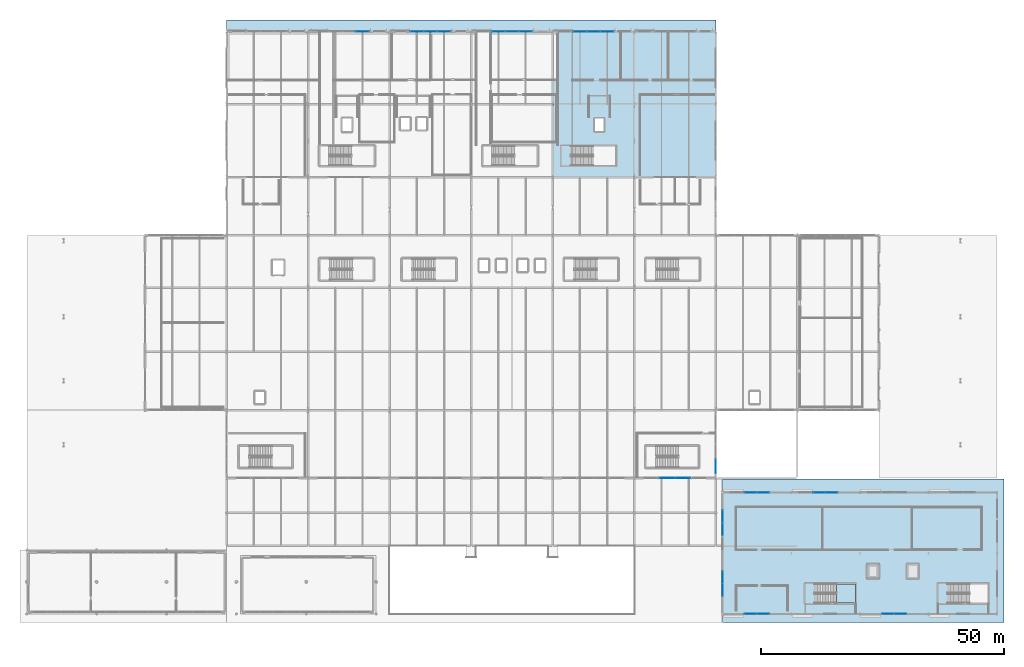
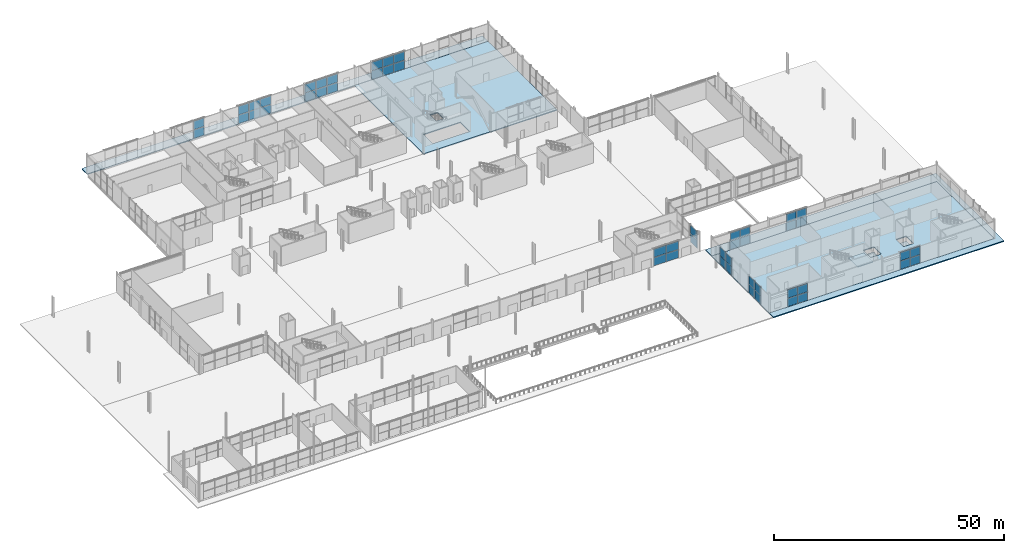
# One storey, part 55 of 87: 50 plates, 7 slabs, 13 elements without a shape of their own.
"""IFC4 building model written with IfcOpenShell, lengths in metres."""

from ifc_helpers import new_model, si_unit, direction, frame, origin, origin_2d, place, context, subcontext, project, spatial, polyline, rectangle, outline, extrude, material, layer, layer_set, type_object, element, aggregate, save


model = new_model("IFC4")

# Units and contexts
model_context = context("Model", 3, precision=1e-05, world=origin(), true_north=direction((0.0, 1.0)))
body_context = subcontext(model_context, "Body", "Model", "MODEL_VIEW")
ifc_project = project(units=[si_unit("LENGTHUNIT", "METRE"), si_unit("AREAUNIT", "SQUARE_METRE"), si_unit("VOLUMEUNIT", "CUBIC_METRE"), si_unit("PLANEANGLEUNIT", "RADIAN"), si_unit("MASSUNIT", "GRAM", prefix="KILO")], contexts=[model_context])

# Site, building, storey
site_placement = place(None, origin())
site = spatial("IfcSite", under=ifc_project, at=site_placement, CompositionType="ELEMENT")
building_placement = place(site_placement, origin())
building = spatial("IfcBuilding", under=site, at=building_placement, Name="Kimbaza Rail Terminus", CompositionType="ELEMENT")
storey_placement = place(building_placement, origin())
storey = spatial("IfcBuildingStorey", under=building, at=storey_placement, Name="L00", CompositionType="ELEMENT", Elevation=0.0)

# Curtain wall, plates
ifc_material_1 = material(Name="Anodised aluminium framing and solar low-E glazing", Category="aluminium")
curtain_wall_type_1 = type_object("IfcCurtainWallType", Name="ARC-CW-TH1", PredefinedType="USERDEFINED", material=ifc_material_1)
curtain_wall_1_placement = place(storey_placement, origin())
curtain_wall_1 = element("IfcCurtainWall", 1, at=curtain_wall_1_placement, inside=storey, type_object=curtain_wall_type_1, Name="Concourse E Return Curtain Wall L00", ObjectType="UNITISED CURTAIN WALL", PredefinedType="USERDEFINED")
ifc_material_2 = material(Name="Solar-control double low-E glazing", Category="glass")
ifc_layer_1 = layer(ifc_material_2, 0.035888671875)
ifc_layer_set_1 = layer_set([ifc_layer_1], Name="Solar-control double low-E glazing")
plate_type_1 = type_object("IfcPlateType", Name="ARC-CWP-01", PredefinedType="CURTAIN_PANEL", material=ifc_layer_set_1)
plate_1_placement = place(storey_placement, frame((156.0, 43.43115234375, 0.0751953125), z_axis=(0.0, 0.0, 1.0), x_axis=(0.0, 1.0, 0.0)))
plate_1 = element("IfcPlate", 2, at=plate_1_placement, type_object=plate_type_1, Name="CW-01 panel 1.1", PredefinedType="CURTAIN_PANEL", context=body_context, shape_type="SweptSolid", body=[
    extrude(rectangle(XDim=2.952392578125, YDim=0.035888671875, at=origin_2d()), origin(), (0.0, 0.0, 1.0), 2.199951171875),
])
plate_2_placement = place(storey_placement, frame((156.0, 43.43115234375, 2.35009765625), z_axis=(0.0, 0.0, 1.0), x_axis=(0.0, 1.0, 0.0)))
plate_2 = element("IfcPlate", 3, at=plate_2_placement, type_object=plate_type_1, Name="CW-01 panel 1.2", PredefinedType="CURTAIN_PANEL", context=body_context, shape_type="SweptSolid", body=[
    extrude(rectangle(XDim=2.952392578125, YDim=0.035888671875, at=origin_2d()), origin(), (0.0, 0.0, 1.0), 2.199951171875),
])
aggregate(curtain_wall_1, [plate_1, plate_2])

ifc_material_3 = material(Name="Anodised aluminium framing and solar low-E glazing", Category="aluminium")
curtain_wall_type_2 = type_object("IfcCurtainWallType", Name="ARC-CW-CN1", PredefinedType="USERDEFINED", material=ifc_material_3)
curtain_wall_2_placement = place(storey_placement, origin())
curtain_wall_2 = element("IfcCurtainWall", 4, at=curtain_wall_2_placement, inside=storey, type_object=curtain_wall_type_2, Name="South Concourse Glazing L00 Bay 6", ObjectType="UNITISED CURTAIN WALL", PredefinedType="USERDEFINED")
ifc_material_4 = material(Name="Solar-control double low-E glazing", Category="glass")
ifc_layer_2 = layer(ifc_material_4, 0.032958984375)
ifc_layer_set_2 = layer_set([ifc_layer_2], Name="Solar-control double low-E glazing")
plate_type_2 = type_object("IfcPlateType", Name="ARC-CWP-02", PredefinedType="CURTAIN_PANEL", material=ifc_layer_set_2)
plate_3_placement = place(storey_placement, frame((146.017578125, 41.0, 0.070068359375), z_axis=(0.0, 0.0, 1.0), x_axis=(1.0, 0.0, 0.0)))
plate_3 = element("IfcPlate", 5, at=plate_3_placement, type_object=plate_type_2, Name="CW-02 panel 1.1", PredefinedType="CURTAIN_PANEL", context=body_context, shape_type="SweptSolid", body=[
    extrude(rectangle(XDim=3.094970703125, YDim=0.032958984375, at=origin_2d()), origin(), (0.0, 0.0, 1.0), 2.20751953125),
])
plate_4_placement = place(storey_placement, frame((146.017578125, 41.0, 2.347412109375), z_axis=(0.0, 0.0, 1.0), x_axis=(1.0, 0.0, 0.0)))
plate_4 = element("IfcPlate", 6, at=plate_4_placement, type_object=plate_type_2, Name="CW-02 panel 1.2", PredefinedType="CURTAIN_PANEL", context=body_context, shape_type="SweptSolid", body=[
    extrude(rectangle(XDim=3.094970703125, YDim=0.032958984375, at=origin_2d()), origin(), (0.0, 0.0, 1.0), 2.20751953125),
])
plate_5_placement = place(storey_placement, frame((149.1826171875, 41.0, 0.070068359375), z_axis=(0.0, 0.0, 1.0), x_axis=(1.0, 0.0, 0.0)))
plate_5 = element("IfcPlate", 7, at=plate_5_placement, type_object=plate_type_2, Name="CW-02 panel 2.1", PredefinedType="CURTAIN_PANEL", context=body_context, shape_type="SweptSolid", body=[
    extrude(rectangle(XDim=3.094970703125, YDim=0.032958984375, at=origin_2d()), origin(), (0.0, 0.0, 1.0), 2.20751953125),
])
plate_6_placement = place(storey_placement, frame((149.1826171875, 41.0, 2.347412109375), z_axis=(0.0, 0.0, 1.0), x_axis=(1.0, 0.0, 0.0)))
plate_6 = element("IfcPlate", 8, at=plate_6_placement, type_object=plate_type_2, Name="CW-02 panel 2.2", PredefinedType="CURTAIN_PANEL", context=body_context, shape_type="SweptSolid", body=[
    extrude(rectangle(XDim=3.094970703125, YDim=0.032958984375, at=origin_2d()), origin(), (0.0, 0.0, 1.0), 2.20751953125),
])
aggregate(curtain_wall_2, [plate_3, plate_4, plate_5, plate_6])

ifc_material_5 = material(Name="Anodised aluminium framing and solar low-E glazing", Category="aluminium")
curtain_wall_type_3 = type_object("IfcCurtainWallType", Name="ARC-CW-PV1", PredefinedType="USERDEFINED", material=ifc_material_5)
curtain_wall_3_placement = place(storey_placement, origin())
curtain_wall_3 = element("IfcCurtainWall", 9, at=curtain_wall_3_placement, inside=storey, type_object=curtain_wall_type_3, Name="Pavilion N Curtain Wall L00.1", ObjectType="STICK CURTAIN WALL", PredefinedType="USERDEFINED")
ifc_material_6 = material(Name="Solar-control double low-E glazing", Category="glass")
ifc_layer_3 = layer(ifc_material_6, 0.027099609375)
ifc_layer_set_3 = layer_set([ifc_layer_3], Name="Solar-control double low-E glazing")
plate_type_3 = type_object("IfcPlateType", Name="ARC-CWP-04", PredefinedType="CURTAIN_PANEL", material=ifc_layer_set_3)
plate_7_placement = place(storey_placement, frame((163.203857421875, 38.0, 0.06494140625), z_axis=(0.0, 0.0, 1.0), x_axis=(1.0, 0.0, 0.0)))
plate_7 = element("IfcPlate", 10, at=plate_7_placement, type_object=plate_type_3, Name="CW-04 panel 1.1", PredefinedType="CURTAIN_PANEL", context=body_context, shape_type="SweptSolid", body=[
    extrude(rectangle(XDim=2.4775390625, YDim=0.027099609375, at=origin_2d()), origin(), (0.0, 0.0, 1.0), 2.215087890625),
])
plate_8_placement = place(storey_placement, frame((163.203857421875, 38.0, 2.3447265625), z_axis=(0.0, 0.0, 1.0), x_axis=(1.0, 0.0, 0.0)))
plate_8 = element("IfcPlate", 11, at=plate_8_placement, type_object=plate_type_3, Name="CW-04 panel 1.2", PredefinedType="CURTAIN_PANEL", context=body_context, shape_type="SweptSolid", body=[
    extrude(rectangle(XDim=2.4775390625, YDim=0.027099609375, at=origin_2d()), origin(), (0.0, 0.0, 1.0), 2.215087890625),
])
plate_9_placement = place(storey_placement, frame((165.746337890625, 38.0, 0.06494140625), z_axis=(0.0, 0.0, 1.0), x_axis=(1.0, 0.0, 0.0)))
plate_9 = element("IfcPlate", 12, at=plate_9_placement, type_object=plate_type_3, Name="CW-04 panel 2.1", PredefinedType="CURTAIN_PANEL", context=body_context, shape_type="SweptSolid", body=[
    extrude(rectangle(XDim=2.4775390625, YDim=0.027099609375, at=origin_2d()), origin(), (0.0, 0.0, 1.0), 2.215087890625),
])
plate_10_placement = place(storey_placement, frame((165.746337890625, 38.0, 2.3447265625), z_axis=(0.0, 0.0, 1.0), x_axis=(1.0, 0.0, 0.0)))
plate_10 = element("IfcPlate", 13, at=plate_10_placement, type_object=plate_type_3, Name="CW-04 panel 2.2", PredefinedType="CURTAIN_PANEL", context=body_context, shape_type="SweptSolid", body=[
    extrude(rectangle(XDim=2.4775390625, YDim=0.027099609375, at=origin_2d()), origin(), (0.0, 0.0, 1.0), 2.215087890625),
])
aggregate(curtain_wall_3, [plate_7, plate_8, plate_9, plate_10])

curtain_wall_4_placement = place(storey_placement, origin())
curtain_wall_4 = element("IfcCurtainWall", 14, at=curtain_wall_4_placement, inside=storey, type_object=curtain_wall_type_3, Name="Pavilion N Curtain Wall L00.2", ObjectType="STICK CURTAIN WALL", PredefinedType="USERDEFINED")
plate_11_placement = place(storey_placement, frame((177.353759765625, 38.0, 0.06494140625), z_axis=(0.0, 0.0, 1.0), x_axis=(1.0, 0.0, 0.0)))
plate_11 = element("IfcPlate", 15, at=plate_11_placement, type_object=plate_type_3, Name="CW-04 panel 1.1", PredefinedType="CURTAIN_PANEL", context=body_context, shape_type="SweptSolid", body=[
    extrude(rectangle(XDim=2.4775390625, YDim=0.027099609375, at=origin_2d()), origin(), (0.0, 0.0, 1.0), 2.215087890625),
])
plate_12_placement = place(storey_placement, frame((177.353759765625, 38.0, 2.3447265625), z_axis=(0.0, 0.0, 1.0), x_axis=(1.0, 0.0, 0.0)))
plate_12 = element("IfcPlate", 16, at=plate_12_placement, type_object=plate_type_3, Name="CW-04 panel 1.2", PredefinedType="CURTAIN_PANEL", context=body_context, shape_type="SweptSolid", body=[
    extrude(rectangle(XDim=2.4775390625, YDim=0.027099609375, at=origin_2d()), origin(), (0.0, 0.0, 1.0), 2.215087890625),
])
plate_13_placement = place(storey_placement, frame((179.896240234375, 38.0, 0.06494140625), z_axis=(0.0, 0.0, 1.0), x_axis=(1.0, 0.0, 0.0)))
plate_13 = element("IfcPlate", 17, at=plate_13_placement, type_object=plate_type_3, Name="CW-04 panel 2.1", PredefinedType="CURTAIN_PANEL", context=body_context, shape_type="SweptSolid", body=[
    extrude(rectangle(XDim=2.4775390625, YDim=0.027099609375, at=origin_2d()), origin(), (0.0, 0.0, 1.0), 2.215087890625),
])
plate_14_placement = place(storey_placement, frame((179.896240234375, 38.0, 2.3447265625), z_axis=(0.0, 0.0, 1.0), x_axis=(1.0, 0.0, 0.0)))
plate_14 = element("IfcPlate", 18, at=plate_14_placement, type_object=plate_type_3, Name="CW-04 panel 2.2", PredefinedType="CURTAIN_PANEL", context=body_context, shape_type="SweptSolid", body=[
    extrude(rectangle(XDim=2.4775390625, YDim=0.027099609375, at=origin_2d()), origin(), (0.0, 0.0, 1.0), 2.215087890625),
])
aggregate(curtain_wall_4, [plate_11, plate_12, plate_13, plate_14])

curtain_wall_5_placement = place(storey_placement, origin())
curtain_wall_5 = element("IfcCurtainWall", 19, at=curtain_wall_5_placement, inside=storey, type_object=curtain_wall_type_3, Name="Pavilion S Curtain Wall L00.1", ObjectType="STICK CURTAIN WALL", PredefinedType="USERDEFINED")
plate_15_placement = place(storey_placement, frame((163.203857421875, 13.0, 0.06494140625), z_axis=(0.0, 0.0, 1.0), x_axis=(1.0, 0.0, 0.0)))
plate_15 = element("IfcPlate", 20, at=plate_15_placement, type_object=plate_type_3, Name="CW-04 panel 1.1", PredefinedType="CURTAIN_PANEL", context=body_context, shape_type="SweptSolid", body=[
    extrude(rectangle(XDim=2.4775390625, YDim=0.027099609375, at=origin_2d()), origin(), (0.0, 0.0, 1.0), 2.215087890625),
])
plate_16_placement = place(storey_placement, frame((163.203857421875, 13.0, 2.3447265625), z_axis=(0.0, 0.0, 1.0), x_axis=(1.0, 0.0, 0.0)))
plate_16 = element("IfcPlate", 21, at=plate_16_placement, type_object=plate_type_3, Name="CW-04 panel 1.2", PredefinedType="CURTAIN_PANEL", context=body_context, shape_type="SweptSolid", body=[
    extrude(rectangle(XDim=2.4775390625, YDim=0.027099609375, at=origin_2d()), origin(), (0.0, 0.0, 1.0), 2.215087890625),
])
plate_17_placement = place(storey_placement, frame((165.746337890625, 13.0, 0.06494140625), z_axis=(0.0, 0.0, 1.0), x_axis=(1.0, 0.0, 0.0)))
plate_17 = element("IfcPlate", 22, at=plate_17_placement, type_object=plate_type_3, Name="CW-04 panel 2.1", PredefinedType="CURTAIN_PANEL", context=body_context, shape_type="SweptSolid", body=[
    extrude(rectangle(XDim=2.4775390625, YDim=0.027099609375, at=origin_2d()), origin(), (0.0, 0.0, 1.0), 2.215087890625),
])
plate_18_placement = place(storey_placement, frame((165.746337890625, 13.0, 2.3447265625), z_axis=(0.0, 0.0, 1.0), x_axis=(1.0, 0.0, 0.0)))
plate_18 = element("IfcPlate", 23, at=plate_18_placement, type_object=plate_type_3, Name="CW-04 panel 2.2", PredefinedType="CURTAIN_PANEL", context=body_context, shape_type="SweptSolid", body=[
    extrude(rectangle(XDim=2.4775390625, YDim=0.027099609375, at=origin_2d()), origin(), (0.0, 0.0, 1.0), 2.215087890625),
])
aggregate(curtain_wall_5, [plate_15, plate_16, plate_17, plate_18])

curtain_wall_6_placement = place(storey_placement, origin())
curtain_wall_6 = element("IfcCurtainWall", 24, at=curtain_wall_6_placement, inside=storey, type_object=curtain_wall_type_3, Name="Pavilion S Curtain Wall L00.3", ObjectType="STICK CURTAIN WALL", PredefinedType="USERDEFINED")
plate_19_placement = place(storey_placement, frame((191.503662109375, 13.0, 0.06494140625), z_axis=(0.0, 0.0, 1.0), x_axis=(1.0, 0.0, 0.0)))
plate_19 = element("IfcPlate", 25, at=plate_19_placement, type_object=plate_type_3, Name="CW-04 panel 1.1", PredefinedType="CURTAIN_PANEL", context=body_context, shape_type="SweptSolid", body=[
    extrude(rectangle(XDim=2.4775390625, YDim=0.027099609375, at=origin_2d()), origin(), (0.0, 0.0, 1.0), 2.215087890625),
])
plate_20_placement = place(storey_placement, frame((191.503662109375, 13.0, 2.3447265625), z_axis=(0.0, 0.0, 1.0), x_axis=(1.0, 0.0, 0.0)))
plate_20 = element("IfcPlate", 26, at=plate_20_placement, type_object=plate_type_3, Name="CW-04 panel 1.2", PredefinedType="CURTAIN_PANEL", context=body_context, shape_type="SweptSolid", body=[
    extrude(rectangle(XDim=2.4775390625, YDim=0.027099609375, at=origin_2d()), origin(), (0.0, 0.0, 1.0), 2.215087890625),
])
plate_21_placement = place(storey_placement, frame((194.046142578125, 13.0, 0.06494140625), z_axis=(0.0, 0.0, 1.0), x_axis=(1.0, 0.0, 0.0)))
plate_21 = element("IfcPlate", 27, at=plate_21_placement, type_object=plate_type_3, Name="CW-04 panel 2.1", PredefinedType="CURTAIN_PANEL", context=body_context, shape_type="SweptSolid", body=[
    extrude(rectangle(XDim=2.4775390625, YDim=0.027099609375, at=origin_2d()), origin(), (0.0, 0.0, 1.0), 2.215087890625),
])
plate_22_placement = place(storey_placement, frame((194.046142578125, 13.0, 2.3447265625), z_axis=(0.0, 0.0, 1.0), x_axis=(1.0, 0.0, 0.0)))
plate_22 = element("IfcPlate", 28, at=plate_22_placement, type_object=plate_type_3, Name="CW-04 panel 2.2", PredefinedType="CURTAIN_PANEL", context=body_context, shape_type="SweptSolid", body=[
    extrude(rectangle(XDim=2.4775390625, YDim=0.027099609375, at=origin_2d()), origin(), (0.0, 0.0, 1.0), 2.215087890625),
])
aggregate(curtain_wall_6, [plate_19, plate_20, plate_21, plate_22])

curtain_wall_7_placement = place(storey_placement, origin())
curtain_wall_7 = element("IfcCurtainWall", 29, at=curtain_wall_7_placement, inside=storey, type_object=curtain_wall_type_3, Name="Pavilion W Curtain Wall L00.1", ObjectType="STICK CURTAIN WALL", PredefinedType="USERDEFINED")
plate_23_placement = place(storey_placement, frame((157.39990234375, 17.941162109375, 0.06494140625), z_axis=(0.0, 0.0, 1.0), x_axis=(0.0, 1.0, 0.0)))
plate_23 = element("IfcPlate", 30, at=plate_23_placement, type_object=plate_type_3, Name="CW-04 panel 1.1", PredefinedType="CURTAIN_PANEL", context=body_context, shape_type="SweptSolid", body=[
    extrude(rectangle(XDim=2.552490234375, YDim=0.027099609375, at=origin_2d()), origin(), (0.0, 0.0, 1.0), 2.239990234375),
])
plate_24_placement = place(storey_placement, frame((157.39990234375, 17.941162109375, 2.3701171875), z_axis=(0.0, 0.0, 1.0), x_axis=(0.0, 1.0, 0.0)))
plate_24 = element("IfcPlate", 31, at=plate_24_placement, type_object=plate_type_3, Name="CW-04 panel 1.2", PredefinedType="CURTAIN_PANEL", context=body_context, shape_type="SweptSolid", body=[
    extrude(rectangle(XDim=2.552490234375, YDim=0.027099609375, at=origin_2d()), origin(), (0.0, 0.0, 1.0), 2.239990234375),
])
plate_25_placement = place(storey_placement, frame((157.39990234375, 20.558837890625, 0.06494140625), z_axis=(0.0, 0.0, 1.0), x_axis=(0.0, 1.0, 0.0)))
plate_25 = element("IfcPlate", 32, at=plate_25_placement, type_object=plate_type_3, Name="CW-04 panel 2.1", PredefinedType="CURTAIN_PANEL", context=body_context, shape_type="SweptSolid", body=[
    extrude(rectangle(XDim=2.552490234375, YDim=0.027099609375, at=origin_2d()), origin(), (0.0, 0.0, 1.0), 2.239990234375),
])
plate_26_placement = place(storey_placement, frame((157.39990234375, 20.558837890625, 2.3701171875), z_axis=(0.0, 0.0, 1.0), x_axis=(0.0, 1.0, 0.0)))
plate_26 = element("IfcPlate", 33, at=plate_26_placement, type_object=plate_type_3, Name="CW-04 panel 2.2", PredefinedType="CURTAIN_PANEL", context=body_context, shape_type="SweptSolid", body=[
    extrude(rectangle(XDim=2.552490234375, YDim=0.027099609375, at=origin_2d()), origin(), (0.0, 0.0, 1.0), 2.239990234375),
])
aggregate(curtain_wall_7, [plate_23, plate_24, plate_25, plate_26])

curtain_wall_8_placement = place(storey_placement, origin())
curtain_wall_8 = element("IfcCurtainWall", 34, at=curtain_wall_8_placement, inside=storey, type_object=curtain_wall_type_3, Name="Pavilion W Curtain Wall L00.2", ObjectType="STICK CURTAIN WALL", PredefinedType="USERDEFINED")
plate_27_placement = place(storey_placement, frame((157.39990234375, 30.441162109375, 0.06494140625), z_axis=(0.0, 0.0, 1.0), x_axis=(0.0, 1.0, 0.0)))
plate_27 = element("IfcPlate", 35, at=plate_27_placement, type_object=plate_type_3, Name="CW-04 panel 1.1", PredefinedType="CURTAIN_PANEL", context=body_context, shape_type="SweptSolid", body=[
    extrude(rectangle(XDim=2.552490234375, YDim=0.027099609375, at=origin_2d()), origin(), (0.0, 0.0, 1.0), 2.239990234375),
])
plate_28_placement = place(storey_placement, frame((157.39990234375, 30.441162109375, 2.3701171875), z_axis=(0.0, 0.0, 1.0), x_axis=(0.0, 1.0, 0.0)))
plate_28 = element("IfcPlate", 36, at=plate_28_placement, type_object=plate_type_3, Name="CW-04 panel 1.2", PredefinedType="CURTAIN_PANEL", context=body_context, shape_type="SweptSolid", body=[
    extrude(rectangle(XDim=2.552490234375, YDim=0.027099609375, at=origin_2d()), origin(), (0.0, 0.0, 1.0), 2.239990234375),
])
plate_29_placement = place(storey_placement, frame((157.39990234375, 33.058837890625, 0.06494140625), z_axis=(0.0, 0.0, 1.0), x_axis=(0.0, 1.0, 0.0)))
plate_29 = element("IfcPlate", 37, at=plate_29_placement, type_object=plate_type_3, Name="CW-04 panel 2.1", PredefinedType="CURTAIN_PANEL", context=body_context, shape_type="SweptSolid", body=[
    extrude(rectangle(XDim=2.552490234375, YDim=0.027099609375, at=origin_2d()), origin(), (0.0, 0.0, 1.0), 2.239990234375),
])
plate_30_placement = place(storey_placement, frame((157.39990234375, 33.058837890625, 2.3701171875), z_axis=(0.0, 0.0, 1.0), x_axis=(0.0, 1.0, 0.0)))
plate_30 = element("IfcPlate", 38, at=plate_30_placement, type_object=plate_type_3, Name="CW-04 panel 2.2", PredefinedType="CURTAIN_PANEL", context=body_context, shape_type="SweptSolid", body=[
    extrude(rectangle(XDim=2.552490234375, YDim=0.027099609375, at=origin_2d()), origin(), (0.0, 0.0, 1.0), 2.239990234375),
])
aggregate(curtain_wall_8, [plate_27, plate_28, plate_29, plate_30])

ifc_material_7 = material(Name="Anodised aluminium framing and solar low-E glazing", Category="aluminium")
curtain_wall_type_4 = type_object("IfcCurtainWallType", Name="ARC-CW-OP1", PredefinedType="USERDEFINED", material=ifc_material_7)
curtain_wall_9_placement = place(storey_placement, origin())
curtain_wall_9 = element("IfcCurtainWall", 39, at=curtain_wall_9_placement, inside=storey, type_object=curtain_wall_type_4, Name="Operations North Curtain Wall L00 Bay 2", ObjectType="UNITISED CURTAIN WALL", PredefinedType="USERDEFINED")
ifc_material_8 = material(Name="Solar-control double low-E glazing", Category="glass")
ifc_layer_4 = layer(ifc_material_8, 0.02490234375)
ifc_layer_set_4 = layer_set([ifc_layer_4], Name="Solar-control double low-E glazing")
plate_type_4 = type_object("IfcPlateType", Name="ARC-CWP-05", PredefinedType="CURTAIN_PANEL", material=ifc_layer_set_4)
plate_31_placement = place(storey_placement, frame((83.1845703125, 133.0, 0.06201171875), z_axis=(0.0, 0.0, 1.0), x_axis=(1.0, 0.0, 0.0)))
plate_31 = element("IfcPlate", 40, at=plate_31_placement, type_object=plate_type_4, Name="CW-05 panel 3.1", PredefinedType="CURTAIN_PANEL", context=body_context, shape_type="SweptSolid", body=[
    extrude(rectangle(XDim=2.70703125, YDim=0.02490234375, at=origin_2d()), origin(), (0.0, 0.0, 1.0), 2.28955078125),
])
plate_32_placement = place(storey_placement, frame((83.1845703125, 133.0, 2.41357421875), z_axis=(0.0, 0.0, 1.0), x_axis=(1.0, 0.0, 0.0)))
plate_32 = element("IfcPlate", 41, at=plate_32_placement, type_object=plate_type_4, Name="CW-05 panel 3.2", PredefinedType="CURTAIN_PANEL", context=body_context, shape_type="SweptSolid", body=[
    extrude(rectangle(XDim=2.70703125, YDim=0.02490234375, at=origin_2d()), origin(), (0.0, 0.0, 1.0), 2.28955078125),
])
aggregate(curtain_wall_9, [plate_31, plate_32])

curtain_wall_10_placement = place(storey_placement, origin())
curtain_wall_10 = element("IfcCurtainWall", 42, at=curtain_wall_10_placement, inside=storey, type_object=curtain_wall_type_4, Name="Operations North Curtain Wall L00 Bay 3", ObjectType="UNITISED CURTAIN WALL", PredefinedType="USERDEFINED")
plate_33_placement = place(storey_placement, frame((94.41552734375, 133.0, 0.06201171875), z_axis=(0.0, 0.0, 1.0), x_axis=(1.0, 0.0, 0.0)))
plate_33 = element("IfcPlate", 43, at=plate_33_placement, type_object=plate_type_4, Name="CW-05 panel 1.1", PredefinedType="CURTAIN_PANEL", context=body_context, shape_type="SweptSolid", body=[
    extrude(rectangle(XDim=2.70703125, YDim=0.02490234375, at=origin_2d()), origin(), (0.0, 0.0, 1.0), 2.28955078125),
])
plate_34_placement = place(storey_placement, frame((94.41552734375, 133.0, 2.41357421875), z_axis=(0.0, 0.0, 1.0), x_axis=(1.0, 0.0, 0.0)))
plate_34 = element("IfcPlate", 44, at=plate_34_placement, type_object=plate_type_4, Name="CW-05 panel 1.2", PredefinedType="CURTAIN_PANEL", context=body_context, shape_type="SweptSolid", body=[
    extrude(rectangle(XDim=2.70703125, YDim=0.02490234375, at=origin_2d()), origin(), (0.0, 0.0, 1.0), 2.28955078125),
])
plate_35_placement = place(storey_placement, frame((97.199951171875, 133.0, 0.06201171875), z_axis=(0.0, 0.0, 1.0), x_axis=(1.0, 0.0, 0.0)))
plate_35 = element("IfcPlate", 45, at=plate_35_placement, type_object=plate_type_4, Name="CW-05 panel 2.1", PredefinedType="CURTAIN_PANEL", context=body_context, shape_type="SweptSolid", body=[
    extrude(rectangle(XDim=2.738037109375, YDim=0.02490234375, at=origin_2d()), origin(), (0.0, 0.0, 1.0), 2.28955078125),
])
plate_36_placement = place(storey_placement, frame((97.199951171875, 133.0, 2.41357421875), z_axis=(0.0, 0.0, 1.0), x_axis=(1.0, 0.0, 0.0)))
plate_36 = element("IfcPlate", 46, at=plate_36_placement, type_object=plate_type_4, Name="CW-05 panel 2.2", PredefinedType="CURTAIN_PANEL", context=body_context, shape_type="SweptSolid", body=[
    extrude(rectangle(XDim=2.738037109375, YDim=0.02490234375, at=origin_2d()), origin(), (0.0, 0.0, 1.0), 2.28955078125),
])
plate_37_placement = place(storey_placement, frame((99.984619140625, 133.0, 0.06201171875), z_axis=(0.0, 0.0, 1.0), x_axis=(1.0, 0.0, 0.0)))
plate_37 = element("IfcPlate", 47, at=plate_37_placement, type_object=plate_type_4, Name="CW-05 panel 3.1", PredefinedType="CURTAIN_PANEL", context=body_context, shape_type="SweptSolid", body=[
    extrude(rectangle(XDim=2.70703125, YDim=0.02490234375, at=origin_2d()), origin(), (0.0, 0.0, 1.0), 2.28955078125),
])
plate_38_placement = place(storey_placement, frame((99.984619140625, 133.0, 2.41357421875), z_axis=(0.0, 0.0, 1.0), x_axis=(1.0, 0.0, 0.0)))
plate_38 = element("IfcPlate", 48, at=plate_38_placement, type_object=plate_type_4, Name="CW-05 panel 3.2", PredefinedType="CURTAIN_PANEL", context=body_context, shape_type="SweptSolid", body=[
    extrude(rectangle(XDim=2.70703125, YDim=0.02490234375, at=origin_2d()), origin(), (0.0, 0.0, 1.0), 2.28955078125),
])
aggregate(curtain_wall_10, [plate_33, plate_34, plate_35, plate_36, plate_37, plate_38])

curtain_wall_11_placement = place(storey_placement, origin())
curtain_wall_11 = element("IfcCurtainWall", 49, at=curtain_wall_11_placement, inside=storey, type_object=curtain_wall_type_4, Name="Operations North Curtain Wall L00 Bay 4", ObjectType="UNITISED CURTAIN WALL", PredefinedType="USERDEFINED")
plate_39_placement = place(storey_placement, frame((111.215576171875, 133.0, 0.06201171875), z_axis=(0.0, 0.0, 1.0), x_axis=(1.0, 0.0, 0.0)))
plate_39 = element("IfcPlate", 50, at=plate_39_placement, type_object=plate_type_4, Name="CW-05 panel 1.1", PredefinedType="CURTAIN_PANEL", context=body_context, shape_type="SweptSolid", body=[
    extrude(rectangle(XDim=2.70703125, YDim=0.02490234375, at=origin_2d()), origin(), (0.0, 0.0, 1.0), 2.28955078125),
])
plate_40_placement = place(storey_placement, frame((111.215576171875, 133.0, 2.41357421875), z_axis=(0.0, 0.0, 1.0), x_axis=(1.0, 0.0, 0.0)))
plate_40 = element("IfcPlate", 51, at=plate_40_placement, type_object=plate_type_4, Name="CW-05 panel 1.2", PredefinedType="CURTAIN_PANEL", context=body_context, shape_type="SweptSolid", body=[
    extrude(rectangle(XDim=2.70703125, YDim=0.02490234375, at=origin_2d()), origin(), (0.0, 0.0, 1.0), 2.28955078125),
])
plate_41_placement = place(storey_placement, frame((114.0, 133.0, 0.06201171875), z_axis=(0.0, 0.0, 1.0), x_axis=(1.0, 0.0, 0.0)))
plate_41 = element("IfcPlate", 52, at=plate_41_placement, type_object=plate_type_4, Name="CW-05 panel 2.1", PredefinedType="CURTAIN_PANEL", context=body_context, shape_type="SweptSolid", body=[
    extrude(rectangle(XDim=2.738037109375, YDim=0.02490234375, at=origin_2d()), origin(), (0.0, 0.0, 1.0), 2.28955078125),
])
plate_42_placement = place(storey_placement, frame((114.0, 133.0, 2.41357421875), z_axis=(0.0, 0.0, 1.0), x_axis=(1.0, 0.0, 0.0)))
plate_42 = element("IfcPlate", 53, at=plate_42_placement, type_object=plate_type_4, Name="CW-05 panel 2.2", PredefinedType="CURTAIN_PANEL", context=body_context, shape_type="SweptSolid", body=[
    extrude(rectangle(XDim=2.738037109375, YDim=0.02490234375, at=origin_2d()), origin(), (0.0, 0.0, 1.0), 2.28955078125),
])
plate_43_placement = place(storey_placement, frame((116.784423828125, 133.0, 0.06201171875), z_axis=(0.0, 0.0, 1.0), x_axis=(1.0, 0.0, 0.0)))
plate_43 = element("IfcPlate", 54, at=plate_43_placement, type_object=plate_type_4, Name="CW-05 panel 3.1", PredefinedType="CURTAIN_PANEL", context=body_context, shape_type="SweptSolid", body=[
    extrude(rectangle(XDim=2.70703125, YDim=0.02490234375, at=origin_2d()), origin(), (0.0, 0.0, 1.0), 2.28955078125),
])
plate_44_placement = place(storey_placement, frame((116.784423828125, 133.0, 2.41357421875), z_axis=(0.0, 0.0, 1.0), x_axis=(1.0, 0.0, 0.0)))
plate_44 = element("IfcPlate", 55, at=plate_44_placement, type_object=plate_type_4, Name="CW-05 panel 3.2", PredefinedType="CURTAIN_PANEL", context=body_context, shape_type="SweptSolid", body=[
    extrude(rectangle(XDim=2.70703125, YDim=0.02490234375, at=origin_2d()), origin(), (0.0, 0.0, 1.0), 2.28955078125),
])
aggregate(curtain_wall_11, [plate_39, plate_40, plate_41, plate_42, plate_43, plate_44])

curtain_wall_12_placement = place(storey_placement, origin())
curtain_wall_12 = element("IfcCurtainWall", 56, at=curtain_wall_12_placement, inside=storey, type_object=curtain_wall_type_4, Name="Operations North Curtain Wall L00 Bay 5", ObjectType="UNITISED CURTAIN WALL", PredefinedType="USERDEFINED")
plate_45_placement = place(storey_placement, frame((128.015380859375, 133.0, 0.06201171875), z_axis=(0.0, 0.0, 1.0), x_axis=(1.0, 0.0, 0.0)))
plate_45 = element("IfcPlate", 57, at=plate_45_placement, type_object=plate_type_4, Name="CW-05 panel 1.1", PredefinedType="CURTAIN_PANEL", context=body_context, shape_type="SweptSolid", body=[
    extrude(rectangle(XDim=2.70703125, YDim=0.02490234375, at=origin_2d()), origin(), (0.0, 0.0, 1.0), 2.28955078125),
])
plate_46_placement = place(storey_placement, frame((128.015380859375, 133.0, 2.41357421875), z_axis=(0.0, 0.0, 1.0), x_axis=(1.0, 0.0, 0.0)))
plate_46 = element("IfcPlate", 58, at=plate_46_placement, type_object=plate_type_4, Name="CW-05 panel 1.2", PredefinedType="CURTAIN_PANEL", context=body_context, shape_type="SweptSolid", body=[
    extrude(rectangle(XDim=2.70703125, YDim=0.02490234375, at=origin_2d()), origin(), (0.0, 0.0, 1.0), 2.28955078125),
])
plate_47_placement = place(storey_placement, frame((130.800048828125, 133.0, 0.06201171875), z_axis=(0.0, 0.0, 1.0), x_axis=(1.0, 0.0, 0.0)))
plate_47 = element("IfcPlate", 59, at=plate_47_placement, type_object=plate_type_4, Name="CW-05 panel 2.1", PredefinedType="CURTAIN_PANEL", context=body_context, shape_type="SweptSolid", body=[
    extrude(rectangle(XDim=2.738037109375, YDim=0.02490234375, at=origin_2d()), origin(), (0.0, 0.0, 1.0), 2.28955078125),
])
plate_48_placement = place(storey_placement, frame((130.800048828125, 133.0, 2.41357421875), z_axis=(0.0, 0.0, 1.0), x_axis=(1.0, 0.0, 0.0)))
plate_48 = element("IfcPlate", 60, at=plate_48_placement, type_object=plate_type_4, Name="CW-05 panel 2.2", PredefinedType="CURTAIN_PANEL", context=body_context, shape_type="SweptSolid", body=[
    extrude(rectangle(XDim=2.738037109375, YDim=0.02490234375, at=origin_2d()), origin(), (0.0, 0.0, 1.0), 2.28955078125),
])
plate_49_placement = place(storey_placement, frame((133.58447265625, 133.0, 0.06201171875), z_axis=(0.0, 0.0, 1.0), x_axis=(1.0, 0.0, 0.0)))
plate_49 = element("IfcPlate", 61, at=plate_49_placement, type_object=plate_type_4, Name="CW-05 panel 3.1", PredefinedType="CURTAIN_PANEL", context=body_context, shape_type="SweptSolid", body=[
    extrude(rectangle(XDim=2.70703125, YDim=0.02490234375, at=origin_2d()), origin(), (0.0, 0.0, 1.0), 2.28955078125),
])
plate_50_placement = place(storey_placement, frame((133.58447265625, 133.0, 2.41357421875), z_axis=(0.0, 0.0, 1.0), x_axis=(1.0, 0.0, 0.0)))
plate_50 = element("IfcPlate", 62, at=plate_50_placement, type_object=plate_type_4, Name="CW-05 panel 3.2", PredefinedType="CURTAIN_PANEL", context=body_context, shape_type="SweptSolid", body=[
    extrude(rectangle(XDim=2.70703125, YDim=0.02490234375, at=origin_2d()), origin(), (0.0, 0.0, 1.0), 2.28955078125),
])
aggregate(curtain_wall_12, [plate_45, plate_46, plate_47, plate_48, plate_49, plate_50])

# Slab
ifc_material_9 = material(Name="Concrete C40/50", Category="concrete")
ifc_layer_5 = layer(ifc_material_9, 0.25)
ifc_layer_set_5 = layer_set([ifc_layer_5], Name="Concrete C40/50")
slab_type_1 = type_object("IfcSlabType", Name="STR-SL-BASE250", PredefinedType="BASESLAB", material=ifc_layer_set_5)
slab_1_placement = place(storey_placement, frame((0.0, 0.0, -0.25)))
element("IfcSlab", 63, at=slab_1_placement, inside=storey, type_object=slab_type_1, Name="Retail Pavilion L00 Ground Slab", PredefinedType="BASESLAB", context=body_context, shape_type="SweptSolid", body=[
    extrude(outline(polyline([(157.39990234375, 13.0), (214.0, 13.0), (214.0, 38.0), (157.39990234375, 38.0), (157.39990234375, 13.0)]), holes=[polyline([(187.10009765625, 20.199951171875), (189.699951171875, 20.199951171875), (189.699951171875, 23.39990234375), (187.10009765625, 23.39990234375), (187.10009765625, 20.199951171875)]), polyline([(195.300048828125, 20.199951171875), (197.89990234375, 20.199951171875), (197.89990234375, 23.39990234375), (195.300048828125, 23.39990234375), (195.300048828125, 20.199951171875)])]), origin(), (0.0, 0.0, 1.0), 0.25),
])

# Stair, slab
ifc_material_10 = material(Name="Concrete C40/50", Category="concrete")
stair_type = type_object("IfcStairType", Name="ARC-STR-07", PredefinedType="HALF_TURN_STAIR", material=ifc_material_10)
stair_placement = place(storey_placement, origin())
stair = element("IfcStair", 64, at=stair_placement, inside=storey, type_object=stair_type, Name="L00 Retail Pavilion West Stair", PredefinedType="HALF_TURN_STAIR")
ifc_material_11 = material(Name="Concrete C40/50", Category="concrete")
ifc_layer_6 = layer(ifc_material_11, 0.199951171875)
ifc_layer_set_6 = layer_set([ifc_layer_6], Name="Concrete C40/50")
slab_type_2 = type_object("IfcSlabType", Name="STR-SL-LND200", PredefinedType="LANDING", material=ifc_layer_set_6)
slab_2_placement = place(storey_placement, frame((0.0, 0.0, 2.5)))
slab_2 = element("IfcSlab", 65, at=slab_2_placement, type_object=slab_type_2, Name="ST-P1 landing 1", PredefinedType="LANDING", context=body_context, shape_type="SweptSolid", body=[
    extrude(outline(polyline([(180.919921875, 15.199951171875), (184.800048828125, 15.199951171875), (184.800048828125, 19.199951171875), (180.919921875, 19.199951171875), (180.919921875, 15.199951171875)])), origin(), (0.0, 0.0, 1.0), 0.199951171875),
])
aggregate(stair, [slab_2])

# Slabs
ifc_material_12 = material(Name="Concrete C40/50", Category="concrete")
ifc_layer_7 = layer(ifc_material_12, 0.239990234375)
ifc_layer_set_7 = layer_set([ifc_layer_7], Name="Concrete C40/50")
slab_type_3 = type_object("IfcSlabType", Name="STR-SL-OPS240", PredefinedType="FLOOR", material=ifc_layer_set_7)
slab_3_placement = place(storey_placement, frame((0.0, 0.0, -0.239990234375)))
element("IfcSlab", 66, at=slab_3_placement, inside=storey, type_object=slab_type_3, Name="Operations Wing L00 Slab Zone 3", PredefinedType="FLOOR", context=body_context, shape_type="SweptSolid", body=[
    extrude(outline(polyline([(122.39990234375, 103.0), (156.0, 103.0), (156.0, 133.0), (122.39990234375, 133.0), (122.39990234375, 103.0)]), holes=[polyline([(126.14501953125, 105.39990234375), (135.39990234375, 105.39990234375), (135.39990234375, 109.43994140625), (126.14501953125, 109.43994140625), (126.14501953125, 105.39990234375)]), polyline([(131.050048828125, 112.449951171875), (132.949951171875, 112.449951171875), (132.949951171875, 115.14990234375), (131.050048828125, 115.14990234375), (131.050048828125, 112.449951171875)])]), origin(), (0.0, 0.0, 1.0), 0.239990234375),
])
ifc_material_13 = material(Name="Concrete C40/50", Category="concrete")
ifc_layer_8 = layer(ifc_material_13, 0.449951171875)
ifc_layer_set_8 = layer_set([ifc_layer_8], Name="Concrete C40/50")
slab_type_4 = type_object("IfcSlabType", Name="STR-SL-PIT450", PredefinedType="BASESLAB", material=ifc_layer_set_8)
slab_4_placement = place(storey_placement, frame((0.0, 0.0, -1.800048828125)))
element("IfcSlab", 67, at=slab_4_placement, inside=storey, type_object=slab_type_4, Name="Lift Pit Base Slab LP-07", PredefinedType="BASESLAB", context=body_context, shape_type="SweptSolid", body=[
    extrude(outline(polyline([(187.10009765625, 20.199951171875), (189.699951171875, 20.199951171875), (189.699951171875, 23.39990234375), (187.10009765625, 23.39990234375), (187.10009765625, 20.199951171875)])), origin(), (0.0, 0.0, 1.0), 0.449951171875),
])
slab_5_placement = place(storey_placement, frame((0.0, 0.0, -1.800048828125)))
element("IfcSlab", 68, at=slab_5_placement, inside=storey, type_object=slab_type_4, Name="Lift Pit Base Slab LG-02", PredefinedType="BASESLAB", context=body_context, shape_type="SweptSolid", body=[
    extrude(outline(polyline([(195.300048828125, 20.199951171875), (197.89990234375, 20.199951171875), (197.89990234375, 23.39990234375), (195.300048828125, 23.39990234375), (195.300048828125, 20.199951171875)])), origin(), (0.0, 0.0, 1.0), 0.449951171875),
])
ifc_material_14 = material(Name="Concrete C40/50", Category="concrete")
ifc_layer_9 = layer(ifc_material_14, 0.25)
ifc_layer_set_9 = layer_set([ifc_layer_9], Name="Concrete C40/50")
slab_type_5 = type_object("IfcSlabType", Name="STR-SL-PLZ250", PredefinedType="BASESLAB", material=ifc_layer_set_9)
slab_6_placement = place(storey_placement, frame((0.0, 0.0, -0.25)))
element("IfcSlab", 69, at=slab_6_placement, inside=storey, type_object=slab_type_5, Name="North Operations Entrance Sidewalk", PredefinedType="BASESLAB", context=body_context, shape_type="SweptSolid", body=[
    extrude(outline(polyline([(55.199951171875, 133.02001953125), (156.0, 133.02001953125), (156.0, 135.39990234375), (55.199951171875, 135.39990234375), (55.199951171875, 133.02001953125)])), origin(), (0.0, 0.0, 1.0), 0.25),
])
slab_7_placement = place(storey_placement, frame((0.0, 0.0, -0.25)))
element("IfcSlab", 70, at=slab_7_placement, inside=storey, type_object=slab_type_5, Name="Pavilion Perimeter Paving Apron", PredefinedType="BASESLAB", context=body_context, shape_type="SweptSolid", body=[
    extrude(outline(polyline([(157.39990234375, 11.199951171875), (215.39990234375, 11.199951171875), (215.39990234375, 40.800048828125), (157.39990234375, 40.800048828125), (157.39990234375, 11.199951171875)]), holes=[polyline([(157.419921875, 13.0), (214.0, 13.0), (214.0, 38.0), (157.419921875, 38.0), (157.419921875, 13.0)])]), origin(), (0.0, 0.0, 1.0), 0.25),
])

save(model, "model.ifc")
